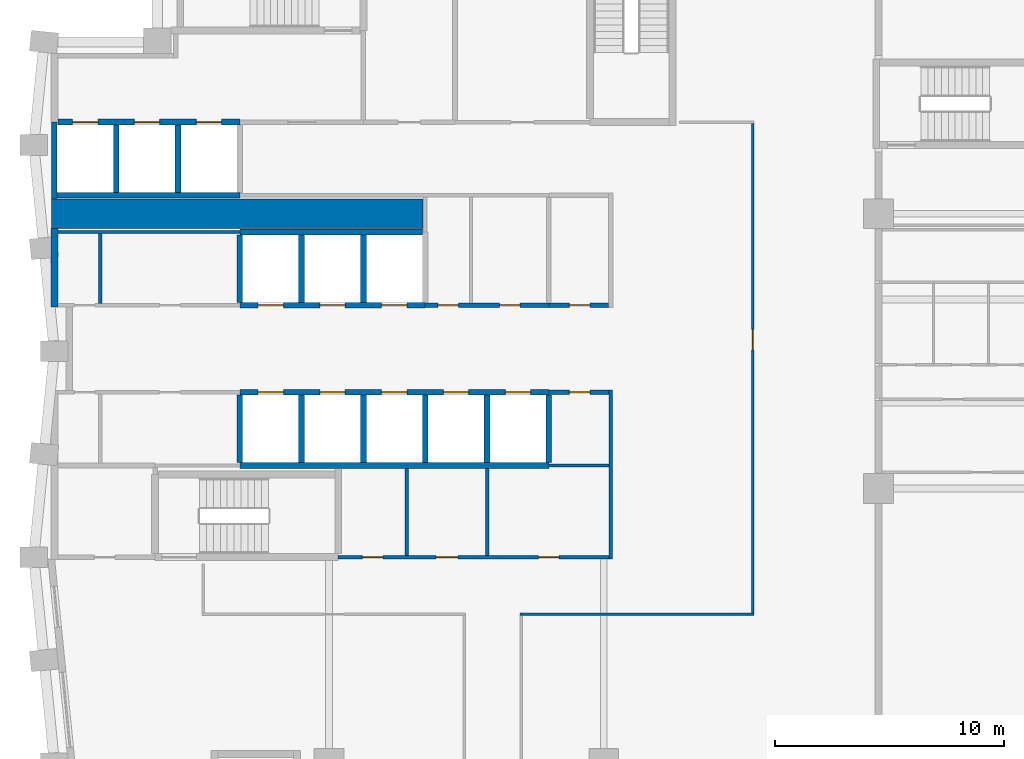
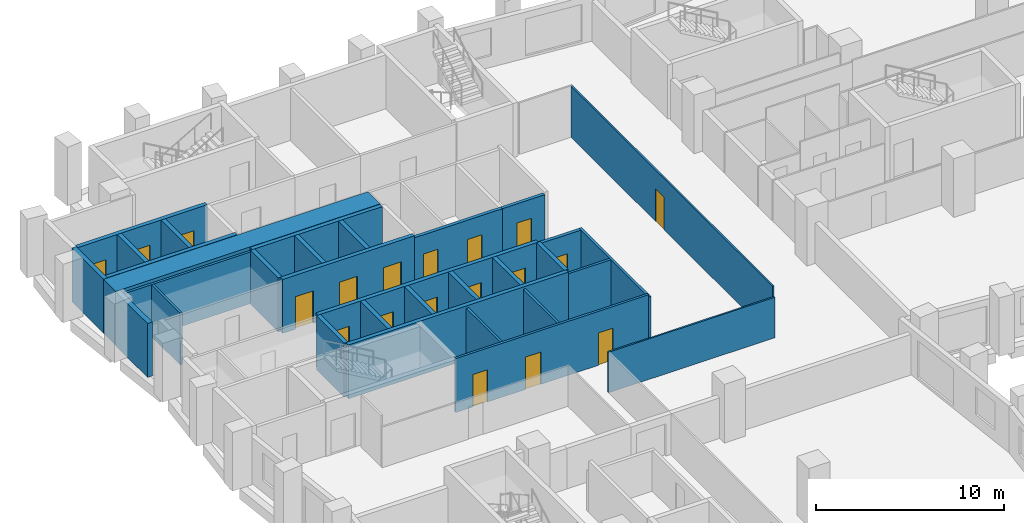
# One storey, part 5 of 11: 32 walls, 19 doors, 19 openings.
"""IFC4 building model written with IfcOpenShell, lengths in metres."""

from ifc_helpers import new_model, si_unit, direction, frame, frame_2d, origin, place, context, subcontext, project, spatial, rectangle, extrude, material, layer, layer_set, type_object, element, fill, save


model = new_model("IFC4")

# Units and contexts
model_context = context("Model", 3, precision=1e-05, world=origin(), true_north=direction((0.0, 1.0)))
body_context = subcontext(model_context, "Body", "Model", "MODEL_VIEW")
ifc_project = project(units=[si_unit("LENGTHUNIT", "METRE"), si_unit("AREAUNIT", "SQUARE_METRE"), si_unit("VOLUMEUNIT", "CUBIC_METRE"), si_unit("PLANEANGLEUNIT", "RADIAN"), si_unit("MASSUNIT", "GRAM", prefix="KILO")], contexts=[model_context])

# Site, building, storey
site_placement = place(None, origin())
site = spatial("IfcSite", under=ifc_project, at=site_placement, CompositionType="ELEMENT")
building_placement = place(site_placement, origin())
building = spatial("IfcBuilding", under=site, at=building_placement, Name="Brondeck Convention Tower", CompositionType="ELEMENT")
storey_placement = place(building_placement, frame((0.0, 0.0, 134.10009765625)))
storey = spatial("IfcBuildingStorey", under=building, at=storey_placement, Name="L32", CompositionType="ELEMENT", Elevation=134.10009765625)

# Wall, openings, doors
ifc_material_1 = material(Name="Concrete C70/85", Category="concrete")
ifc_layer_1 = layer(ifc_material_1, 0.14990234375)
ifc_layer_set_1 = layer_set([ifc_layer_1], Name="Core beam-seat wall 150 Concrete C70/85")
wall_type_1 = type_object("IfcWallType", Name="Core beam-seat wall 150 Concrete C70/85", PredefinedType="SHEAR", material=ifc_layer_set_1)
wall_1_placement = place(storey_placement, frame((12.39990234375, 36.0, 0.0), z_axis=(0.0, 0.0, 1.0), x_axis=(1.0, 0.0, 0.0)))
wall_1 = element("IfcWall", 1, at=wall_1_placement, inside=storey, type_object=wall_type_1, Name="L32 core wall", PredefinedType="SHEAR", context=body_context, shape_type="SweptSolid", body=[
    extrude(rectangle(XDim=11.8251953125, YDim=0.14990234375, at=frame_2d((5.91259765625, 0.0))), origin(), (0.0, 0.0, 1.0), 3.5),
])
opening_1_placement = place(wall_1_placement, frame((1.050048828125, 0.0, 0.0)))
opening_1 = element("IfcOpeningElement", 2, at=opening_1_placement, cuts=wall_1, Name="Opening C18-03", PredefinedType="OPENING", context=body_context, shape_type="SweptSolid", body=[
    extrude(rectangle(XDim=0.89990234375, YDim=2.10009765625, at=frame_2d((0.449951171875, 1.050048828125))), frame((0.0, 0.0849609375, 0.0), z_axis=(0.0, -1.0, 0.0), x_axis=(1.0, 0.0, 0.0)), (0.0, 0.0, 1.0), 0.169921875),
])
opening_2_placement = place(wall_1_placement, frame((4.27490234375, 0.0, 0.0)))
opening_2 = element("IfcOpeningElement", 3, at=opening_2_placement, cuts=wall_1, Name="Opening C18-04", PredefinedType="OPENING", context=body_context, shape_type="SweptSolid", body=[
    extrude(rectangle(XDim=0.949951171875, YDim=2.10009765625, at=frame_2d((0.47509765625, 1.050048828125))), frame((0.0, 0.0849609375, 0.0), z_axis=(0.0, -1.0, 0.0), x_axis=(1.0, 0.0, 0.0)), (0.0, 0.0, 1.0), 0.169921875),
])
opening_3_placement = place(wall_1_placement, frame((8.75, 0.0, 0.0)))
opening_3 = element("IfcOpeningElement", 4, at=opening_3_placement, cuts=wall_1, Name="Opening C18-05", PredefinedType="OPENING", context=body_context, shape_type="SweptSolid", body=[
    extrude(rectangle(XDim=0.89990234375, YDim=2.10009765625, at=frame_2d((0.449951171875, 1.050048828125))), frame((0.0, 0.0849609375, 0.0), z_axis=(0.0, -1.0, 0.0), x_axis=(1.0, 0.0, 0.0)), (0.0, 0.0, 1.0), 0.169921875),
])
ifc_material_2 = material(Name="Steel fire door", Category="steel")
door_type_1 = type_object("IfcDoorType", Name="Room door 900x2100 EI 60", OperationType="NOTDEFINED", PredefinedType="DOOR", material=ifc_material_2)
door_1_placement = place(opening_1_placement, origin())
door_1 = element("IfcDoor", 5, at=door_1_placement, inside=storey, type_object=door_type_1, Name="L32 Room door FR-1", OperationType="SINGLE_SWING_RIGHT", OverallHeight=2.10009765625, OverallWidth=0.89990234375, PredefinedType="DOOR", context=body_context, shape_type="SweptSolid", body=[
    extrude(rectangle(XDim=0.89990234375, YDim=2.10009765625, at=frame_2d((0.449951171875, 1.050048828125))), frame((0.0, 0.02490234375, 0.0), z_axis=(0.0, -1.0, 0.0), x_axis=(1.0, 0.0, 0.0)), (0.0, 0.0, 1.0), 0.050048828125),
])
fill(opening_1, door_1)
door_2_placement = place(opening_3_placement, origin())
door_2 = element("IfcDoor", 6, at=door_2_placement, inside=storey, type_object=door_type_1, Name="L32 Room door FR-3", OperationType="SINGLE_SWING_RIGHT", OverallHeight=2.10009765625, OverallWidth=0.89990234375, PredefinedType="DOOR", context=body_context, shape_type="SweptSolid", body=[
    extrude(rectangle(XDim=0.89990234375, YDim=2.10009765625, at=frame_2d((0.449951171875, 1.050048828125))), frame((0.0, 0.02490234375, 0.0), z_axis=(0.0, -1.0, 0.0), x_axis=(1.0, 0.0, 0.0)), (0.0, 0.0, 1.0), 0.050048828125),
])
fill(opening_3, door_2)
door_type_2 = type_object("IfcDoorType", Name="Room door 950x2100 EI 60", OperationType="NOTDEFINED", PredefinedType="DOOR", material=ifc_material_2)
door_3_placement = place(opening_2_placement, origin())
door_3 = element("IfcDoor", 7, at=door_3_placement, inside=storey, type_object=door_type_2, Name="L32 Room door FR-2", OperationType="SINGLE_SWING_LEFT", OverallHeight=2.10009765625, OverallWidth=0.949951171875, PredefinedType="DOOR", context=body_context, shape_type="SweptSolid", body=[
    extrude(rectangle(XDim=0.949951171875, YDim=2.10009765625, at=frame_2d((0.47509765625, 1.050048828125))), frame((0.0, 0.02490234375, 0.0), z_axis=(0.0, -1.0, 0.0), x_axis=(1.0, 0.0, 0.0)), (0.0, 0.0, 1.0), 0.050048828125),
])
fill(opening_2, door_3)

# Walls
ifc_layer_2 = layer(ifc_material_1, 0.300048828125)
ifc_layer_set_2 = layer_set([ifc_layer_2], Name="Core outer wall 300 Concrete C70/85")
wall_type_2 = type_object("IfcWallType", Name="Core outer wall 300 Concrete C70/85", PredefinedType="SHEAR", material=ifc_layer_set_2)
wall_2_placement = place(storey_placement, frame((0.0, 46.925048828125, 0.0), z_axis=(0.0, 0.0, 1.0), x_axis=(0.0, 1.0, 0.0)))
element("IfcWall", 8, at=wall_2_placement, inside=storey, type_object=wall_type_2, Name="L32 core wall", PredefinedType="SHEAR", context=body_context, shape_type="SweptSolid", body=[
    extrude(rectangle(XDim=3.425048828125, YDim=0.300048828125, at=frame_2d((1.71240234375, 0.0))), origin(), (0.0, 0.0, 1.0), 3.5),
])
ifc_material_3 = material(Name="Fire-rated gypsum board partition")
ifc_layer_3 = layer(ifc_material_3, 0.14990234375)
ifc_layer_set_3 = layer_set([ifc_layer_3], Name="Core partition 150 EI 60")
wall_type_3 = type_object("IfcWallType", Name="Core partition 150 EI 60", PredefinedType="PARTITIONING", material=ifc_layer_set_3)
wall_3_placement = place(storey_placement, frame((21.60009765625, 40.0, 0.0), z_axis=(0.0, 0.0, 1.0), x_axis=(1.0, 0.0, 0.0)))
element("IfcWall", 9, at=wall_3_placement, inside=storey, type_object=wall_type_3, Name="L32 core wall", PredefinedType="PARTITIONING", context=body_context, shape_type="SweptSolid", body=[
    extrude(rectangle(XDim=2.625, YDim=0.14990234375, at=frame_2d((1.3125, 0.0))), origin(), (0.0, 0.0, 1.0), 3.349853515625),
])
wall_4_placement = place(storey_placement, frame((0.14990234375, 50.199951171875, 0.0), z_axis=(0.0, 0.0, 1.0), x_axis=(1.0, 0.0, 0.0)))
element("IfcWall", 10, at=wall_4_placement, inside=storey, type_object=wall_type_3, Name="L32 core wall", PredefinedType="PARTITIONING", context=body_context, shape_type="SweptSolid", body=[
    extrude(rectangle(XDim=7.9501953125, YDim=0.14990234375, at=frame_2d((3.97509765625, 0.0))), origin(), (0.0, 0.0, 1.0), 3.349853515625),
])
wall_5_placement = place(storey_placement, frame((2.0, 47.074951171875, 0.0), z_axis=(0.0, 0.0, 1.0), x_axis=(0.0, 1.0, 0.0)))
element("IfcWall", 11, at=wall_5_placement, inside=storey, type_object=wall_type_3, Name="L32 core wall", PredefinedType="PARTITIONING", context=body_context, shape_type="SweptSolid", body=[
    extrude(rectangle(XDim=3.050048828125, YDim=0.14990234375, at=frame_2d((1.52490234375, 0.0))), origin(), (0.0, 0.0, 1.0), 3.349853515625),
])
for number, where, z_axis, x_axis, name in (
    (12, (15.39990234375, 36.074951171875, 0.0), (0.0, 0.0, 1.0), (0.0, 1.0, 0.0), "L32 core wall"),
    (13, (18.89990234375, 36.074951171875, 0.0), (0.0, 0.0, 1.0), (0.0, 1.0, 0.0), "L32 core wall"),
):
    element("IfcWall", number, at=place(storey_placement, frame(where, z_axis=z_axis, x_axis=x_axis)), inside=storey, type_object=wall_type_3, Name=name, PredefinedType="PARTITIONING", context=body_context, shape_type="SweptSolid", body=[
        extrude(rectangle(XDim=3.800048828125, YDim=0.14990234375, at=frame_2d((1.89990234375, 0.0))), origin(), (0.0, 0.0, 1.0), 3.349853515625),
    ])
wall_6_placement = place(storey_placement, frame((24.300048828125, 35.925048828125, 0.0), z_axis=(0.0, 0.0, 1.0), x_axis=(0.0, 1.0, 0.0)))
element("IfcWall", 14, at=wall_6_placement, inside=storey, type_object=wall_type_3, Name="L32 core wall", PredefinedType="PARTITIONING", context=body_context, shape_type="SweptSolid", body=[
    extrude(rectangle(XDim=7.375, YDim=0.14990234375, at=frame_2d((3.6875, 0.0))), origin(), (0.0, 0.0, 1.0), 3.349853515625),
])
ifc_layer_4 = layer(ifc_material_1, 1.300048828125)
ifc_layer_set_4 = layer_set([ifc_layer_4], Name="Core shear wall 1300 Concrete C70/85")
wall_type_4 = type_object("IfcWallType", Name="Core shear wall 1300 Concrete C70/85", PredefinedType="SHEAR", material=ifc_layer_set_4)
wall_7_placement = place(storey_placement, frame((-0.125, 51.0, 0.0), z_axis=(0.0, 0.0, 1.0), x_axis=(1.0, 0.0, 0.0)))
element("IfcWall", 15, at=wall_7_placement, inside=storey, type_object=wall_type_4, Name="L32 core wall", PredefinedType="SHEAR", context=body_context, shape_type="SweptSolid", body=[
    extrude(rectangle(XDim=16.22509765625, YDim=1.300048828125, at=frame_2d((8.112548828125, 0.0))), origin(), (0.0, 0.0, 1.0), 3.5),
])

# Wall, opening, door
ifc_layer_5 = layer(ifc_material_3, 0.199951171875)
ifc_layer_set_5 = layer_set([ifc_layer_5], Name="Lift lobby wall 200 EI 60")
wall_type_5 = type_object("IfcWallType", Name="Lift lobby wall 200 EI 60", PredefinedType="PARTITIONING", material=ifc_layer_set_5)
wall_8_placement = place(storey_placement, frame((21.60009765625, 43.199951171875, 0.0), z_axis=(0.0, 0.0, 1.0), x_axis=(1.0, 0.0, 0.0)))
wall_8 = element("IfcWall", 16, at=wall_8_placement, inside=storey, type_object=wall_type_5, Name="L32 core wall", PredefinedType="PARTITIONING", context=body_context, shape_type="SweptSolid", body=[
    extrude(rectangle(XDim=2.625, YDim=0.199951171875, at=frame_2d((1.3125, 0.0))), origin(), (0.0, 0.0, 1.0), 3.349853515625),
])
opening_4_placement = place(wall_8_placement, frame((0.89990234375, 0.0, 0.0)))
opening_4 = element("IfcOpeningElement", 17, at=opening_4_placement, cuts=wall_8, Name="Opening C18-13", PredefinedType="OPENING", context=body_context, shape_type="SweptSolid", body=[
    extrude(rectangle(XDim=0.89990234375, YDim=2.10009765625, at=frame_2d((0.449951171875, 1.050048828125))), frame((0.0, 0.10986328125, 0.0), z_axis=(0.0, -1.0, 0.0), x_axis=(1.0, 0.0, 0.0)), (0.0, 0.0, 1.0), 0.219970703125),
])
door_4_placement = place(opening_4_placement, origin())
door_4 = element("IfcDoor", 18, at=door_4_placement, inside=storey, type_object=door_type_1, Name="L32 Room door FZ-S-21.6-1", OperationType="SINGLE_SWING_RIGHT", OverallHeight=2.10009765625, OverallWidth=0.89990234375, PredefinedType="DOOR", context=body_context, shape_type="SweptSolid", body=[
    extrude(rectangle(XDim=0.89990234375, YDim=2.10009765625, at=frame_2d((0.449951171875, 1.050048828125))), frame((0.0, 0.02490234375, 0.0), z_axis=(0.0, -1.0, 0.0), x_axis=(1.0, 0.0, 0.0)), (0.0, 0.0, 1.0), 0.050048828125),
])
fill(opening_4, door_4)

# Wall, openings, doors
wall_9_placement = place(storey_placement, frame((16.199951171875, 47.0, 0.0), z_axis=(0.0, 0.0, 1.0), x_axis=(1.0, 0.0, 0.0)))
wall_9 = element("IfcWall", 19, at=wall_9_placement, inside=storey, type_object=wall_type_5, Name="L32 core wall", PredefinedType="PARTITIONING", context=body_context, shape_type="SweptSolid", body=[
    extrude(rectangle(XDim=5.400146484375, YDim=0.199951171875, at=frame_2d((2.7001953125, 0.0))), origin(), (0.0, 0.0, 1.0), 3.349853515625),
])
opening_5_placement = place(wall_9_placement, frame((0.550048828125, 0.0, 0.0)))
opening_5 = element("IfcOpeningElement", 20, at=opening_5_placement, cuts=wall_9, Name="Opening C18-09", PredefinedType="OPENING", context=body_context, shape_type="SweptSolid", body=[
    extrude(rectangle(XDim=0.89990234375, YDim=2.10009765625, at=frame_2d((0.449951171875, 1.050048828125))), frame((0.0, 0.10986328125, 0.0), z_axis=(0.0, -1.0, 0.0), x_axis=(1.0, 0.0, 0.0)), (0.0, 0.0, 1.0), 0.219970703125),
])
opening_6_placement = place(wall_9_placement, frame((3.25, 0.0, 0.0)))
opening_6 = element("IfcOpeningElement", 21, at=opening_6_placement, cuts=wall_9, Name="Opening C18-10", PredefinedType="OPENING", context=body_context, shape_type="SweptSolid", body=[
    extrude(rectangle(XDim=0.89990234375, YDim=2.10009765625, at=frame_2d((0.449951171875, 1.050048828125))), frame((0.0, 0.10986328125, 0.0), z_axis=(0.0, -1.0, 0.0), x_axis=(1.0, 0.0, 0.0)), (0.0, 0.0, 1.0), 0.219970703125),
])
door_5_placement = place(opening_5_placement, origin())
door_5 = element("IfcDoor", 22, at=door_5_placement, inside=storey, type_object=door_type_1, Name="L32 Room door FZ-N-16.2-1", OperationType="SINGLE_SWING_LEFT", OverallHeight=2.10009765625, OverallWidth=0.89990234375, PredefinedType="DOOR", context=body_context, shape_type="SweptSolid", body=[
    extrude(rectangle(XDim=0.89990234375, YDim=2.10009765625, at=frame_2d((0.449951171875, 1.050048828125))), frame((0.0, 0.02490234375, 0.0), z_axis=(0.0, -1.0, 0.0), x_axis=(1.0, 0.0, 0.0)), (0.0, 0.0, 1.0), 0.050048828125),
])
fill(opening_5, door_5)
door_6_placement = place(opening_6_placement, origin())
door_6 = element("IfcDoor", 23, at=door_6_placement, inside=storey, type_object=door_type_1, Name="L32 Room door FZ-N-16.2-2", OperationType="SINGLE_SWING_RIGHT", OverallHeight=2.10009765625, OverallWidth=0.89990234375, PredefinedType="DOOR", context=body_context, shape_type="SweptSolid", body=[
    extrude(rectangle(XDim=0.89990234375, YDim=2.10009765625, at=frame_2d((0.449951171875, 1.050048828125))), frame((0.0, 0.02490234375, 0.0), z_axis=(0.0, -1.0, 0.0), x_axis=(1.0, 0.0, 0.0)), (0.0, 0.0, 1.0), 0.050048828125),
])
fill(opening_6, door_6)

# Wall
ifc_layer_6 = layer(ifc_material_1, 0.25)
ifc_layer_set_6 = layer_set([ifc_layer_6], Name="Lift shaft wall 250 Concrete C70/85")
wall_type_6 = type_object("IfcWallType", Name="Lift shaft wall 250 Concrete C70/85", PredefinedType="SHEAR", material=ifc_layer_set_6)
wall_10_placement = place(storey_placement, frame((8.10009765625, 40.0, 0.0), z_axis=(0.0, 0.0, 1.0), x_axis=(1.0, 0.0, 0.0)))
element("IfcWall", 24, at=wall_10_placement, inside=storey, type_object=wall_type_6, Name="L32 core wall", PredefinedType="SHEAR", context=body_context, shape_type="SweptSolid", body=[
    extrude(rectangle(XDim=13.5, YDim=0.25, at=frame_2d((6.75, 0.0))), origin(), (0.0, 0.0, 1.0), 3.5),
])

# Wall, openings, doors
wall_11_placement = place(storey_placement, frame((8.10009765625, 43.199951171875, 0.0), z_axis=(0.0, 0.0, 1.0), x_axis=(1.0, 0.0, 0.0)))
wall_11 = element("IfcWall", 25, at=wall_11_placement, inside=storey, type_object=wall_type_6, Name="L32 core wall", PredefinedType="SHEAR", context=body_context, shape_type="SweptSolid", body=[
    extrude(rectangle(XDim=13.5, YDim=0.25, at=frame_2d((6.75, 0.0))), origin(), (0.0, 0.0, 1.0), 3.5),
])
opening_7_placement = place(wall_11_placement, frame((0.800048828125, 0.0, 0.0)))
opening_7 = element("IfcOpeningElement", 26, at=opening_7_placement, cuts=wall_11, Name="Opening C18-26", PredefinedType="OPENING", context=body_context, shape_type="SweptSolid", body=[
    extrude(rectangle(XDim=1.10009765625, YDim=2.10009765625, at=frame_2d((0.550048828125, 1.050048828125))), frame((0.0, 0.135009765625, 0.0), z_axis=(0.0, -1.0, 0.0), x_axis=(1.0, 0.0, 0.0)), (0.0, 0.0, 1.0), 0.27001953125),
])
opening_8_placement = place(wall_11_placement, frame((3.5, 0.0, 0.0)))
opening_8 = element("IfcOpeningElement", 27, at=opening_8_placement, cuts=wall_11, Name="Opening C18-27", PredefinedType="OPENING", context=body_context, shape_type="SweptSolid", body=[
    extrude(rectangle(XDim=1.10009765625, YDim=2.10009765625, at=frame_2d((0.550048828125, 1.050048828125))), frame((0.0, 0.135009765625, 0.0), z_axis=(0.0, -1.0, 0.0), x_axis=(1.0, 0.0, 0.0)), (0.0, 0.0, 1.0), 0.27001953125),
])
opening_9_placement = place(wall_11_placement, frame((6.199951171875, 0.0, 0.0)))
opening_9 = element("IfcOpeningElement", 28, at=opening_9_placement, cuts=wall_11, Name="Opening C18-28", PredefinedType="OPENING", context=body_context, shape_type="SweptSolid", body=[
    extrude(rectangle(XDim=1.10009765625, YDim=2.10009765625, at=frame_2d((0.550048828125, 1.050048828125))), frame((0.0, 0.135009765625, 0.0), z_axis=(0.0, -1.0, 0.0), x_axis=(1.0, 0.0, 0.0)), (0.0, 0.0, 1.0), 0.27001953125),
])
opening_10_placement = place(wall_11_placement, frame((8.89990234375, 0.0, 0.0)))
opening_10 = element("IfcOpeningElement", 29, at=opening_10_placement, cuts=wall_11, Name="Opening C18-32", PredefinedType="OPENING", context=body_context, shape_type="SweptSolid", body=[
    extrude(rectangle(XDim=1.10009765625, YDim=2.10009765625, at=frame_2d((0.550048828125, 1.050048828125))), frame((0.0, 0.135009765625, 0.0), z_axis=(0.0, -1.0, 0.0), x_axis=(1.0, 0.0, 0.0)), (0.0, 0.0, 1.0), 0.27001953125),
])
opening_11_placement = place(wall_11_placement, frame((11.60009765625, 0.0, 0.0)))
opening_11 = element("IfcOpeningElement", 30, at=opening_11_placement, cuts=wall_11, Name="Opening C18-33", PredefinedType="OPENING", context=body_context, shape_type="SweptSolid", body=[
    extrude(rectangle(XDim=1.10009765625, YDim=2.10009765625, at=frame_2d((0.550048828125, 1.050048828125))), frame((0.0, 0.135009765625, 0.0), z_axis=(0.0, -1.0, 0.0), x_axis=(1.0, 0.0, 0.0)), (0.0, 0.0, 1.0), 0.27001953125),
])
ifc_material_4 = material(Name="Stainless steel lift door", Category="steel")
door_type_3 = type_object("IfcDoorType", Name="Lift landing door 1100x2100 EI 180", OperationType="DOUBLE_DOOR_SLIDING", PredefinedType="DOOR", material=ifc_material_4)
door_7_placement = place(opening_7_placement, origin())
door_7 = element("IfcDoor", 31, at=door_7_placement, inside=storey, type_object=door_type_3, Name="L32 Lift landing door LR1", OperationType="DOUBLE_DOOR_SLIDING", OverallHeight=2.10009765625, OverallWidth=1.10009765625, PredefinedType="DOOR", context=body_context, shape_type="SweptSolid", body=[
    extrude(rectangle(XDim=1.10009765625, YDim=2.10009765625, at=frame_2d((0.550048828125, 1.050048828125))), frame((0.0, 0.02490234375, 0.0), z_axis=(0.0, -1.0, 0.0), x_axis=(1.0, 0.0, 0.0)), (0.0, 0.0, 1.0), 0.050048828125),
])
fill(opening_7, door_7)
door_8_placement = place(opening_8_placement, origin())
door_8 = element("IfcDoor", 32, at=door_8_placement, inside=storey, type_object=door_type_3, Name="L32 Lift landing door LR2", OperationType="DOUBLE_DOOR_SLIDING", OverallHeight=2.10009765625, OverallWidth=1.10009765625, PredefinedType="DOOR", context=body_context, shape_type="SweptSolid", body=[
    extrude(rectangle(XDim=1.10009765625, YDim=2.10009765625, at=frame_2d((0.550048828125, 1.050048828125))), frame((0.0, 0.02490234375, 0.0), z_axis=(0.0, -1.0, 0.0), x_axis=(1.0, 0.0, 0.0)), (0.0, 0.0, 1.0), 0.050048828125),
])
fill(opening_8, door_8)
door_9_placement = place(opening_9_placement, origin())
door_9 = element("IfcDoor", 33, at=door_9_placement, inside=storey, type_object=door_type_3, Name="L32 Lift landing door LR3", OperationType="DOUBLE_DOOR_SLIDING", OverallHeight=2.10009765625, OverallWidth=1.10009765625, PredefinedType="DOOR", context=body_context, shape_type="SweptSolid", body=[
    extrude(rectangle(XDim=1.10009765625, YDim=2.10009765625, at=frame_2d((0.550048828125, 1.050048828125))), frame((0.0, 0.02490234375, 0.0), z_axis=(0.0, -1.0, 0.0), x_axis=(1.0, 0.0, 0.0)), (0.0, 0.0, 1.0), 0.050048828125),
])
fill(opening_9, door_9)
door_10_placement = place(opening_10_placement, origin())
door_10 = element("IfcDoor", 34, at=door_10_placement, inside=storey, type_object=door_type_3, Name="L32 Lift landing door SH1", OperationType="DOUBLE_DOOR_SLIDING", OverallHeight=2.10009765625, OverallWidth=1.10009765625, PredefinedType="DOOR", context=body_context, shape_type="SweptSolid", body=[
    extrude(rectangle(XDim=1.10009765625, YDim=2.10009765625, at=frame_2d((0.550048828125, 1.050048828125))), frame((0.0, 0.02490234375, 0.0), z_axis=(0.0, -1.0, 0.0), x_axis=(1.0, 0.0, 0.0)), (0.0, 0.0, 1.0), 0.050048828125),
])
fill(opening_10, door_10)
door_11_placement = place(opening_11_placement, origin())
door_11 = element("IfcDoor", 35, at=door_11_placement, inside=storey, type_object=door_type_3, Name="L32 Lift landing door SH2", OperationType="DOUBLE_DOOR_SLIDING", OverallHeight=2.10009765625, OverallWidth=1.10009765625, PredefinedType="DOOR", context=body_context, shape_type="SweptSolid", body=[
    extrude(rectangle(XDim=1.10009765625, YDim=2.10009765625, at=frame_2d((0.550048828125, 1.050048828125))), frame((0.0, 0.02490234375, 0.0), z_axis=(0.0, -1.0, 0.0), x_axis=(1.0, 0.0, 0.0)), (0.0, 0.0, 1.0), 0.050048828125),
])
fill(opening_11, door_11)

wall_12_placement = place(storey_placement, frame((8.10009765625, 47.0, 0.0), z_axis=(0.0, 0.0, 1.0), x_axis=(1.0, 0.0, 0.0)))
wall_12 = element("IfcWall", 36, at=wall_12_placement, inside=storey, type_object=wall_type_6, Name="L32 core wall", PredefinedType="SHEAR", context=body_context, shape_type="SweptSolid", body=[
    extrude(rectangle(XDim=8.099853515625, YDim=0.25, at=frame_2d((4.0498046875, 0.0))), origin(), (0.0, 0.0, 1.0), 3.5),
])
opening_12_placement = place(wall_12_placement, frame((0.800048828125, 0.0, 0.0)))
opening_12 = element("IfcOpeningElement", 37, at=opening_12_placement, cuts=wall_12, Name="Opening C18-29", PredefinedType="OPENING", context=body_context, shape_type="SweptSolid", body=[
    extrude(rectangle(XDim=1.10009765625, YDim=2.10009765625, at=frame_2d((0.550048828125, 1.050048828125))), frame((0.0, 0.135009765625, 0.0), z_axis=(0.0, -1.0, 0.0), x_axis=(1.0, 0.0, 0.0)), (0.0, 0.0, 1.0), 0.27001953125),
])
opening_13_placement = place(wall_12_placement, frame((3.5, 0.0, 0.0)))
opening_13 = element("IfcOpeningElement", 38, at=opening_13_placement, cuts=wall_12, Name="Opening C18-30", PredefinedType="OPENING", context=body_context, shape_type="SweptSolid", body=[
    extrude(rectangle(XDim=1.10009765625, YDim=2.10009765625, at=frame_2d((0.550048828125, 1.050048828125))), frame((0.0, 0.135009765625, 0.0), z_axis=(0.0, -1.0, 0.0), x_axis=(1.0, 0.0, 0.0)), (0.0, 0.0, 1.0), 0.27001953125),
])
opening_14_placement = place(wall_12_placement, frame((6.199951171875, 0.0, 0.0)))
opening_14 = element("IfcOpeningElement", 39, at=opening_14_placement, cuts=wall_12, Name="Opening C18-31", PredefinedType="OPENING", context=body_context, shape_type="SweptSolid", body=[
    extrude(rectangle(XDim=1.10009765625, YDim=2.10009765625, at=frame_2d((0.550048828125, 1.050048828125))), frame((0.0, 0.135009765625, 0.0), z_axis=(0.0, -1.0, 0.0), x_axis=(1.0, 0.0, 0.0)), (0.0, 0.0, 1.0), 0.27001953125),
])
door_12_placement = place(opening_12_placement, origin())
door_12 = element("IfcDoor", 40, at=door_12_placement, inside=storey, type_object=door_type_3, Name="L32 Lift landing door LR4", OperationType="DOUBLE_DOOR_SLIDING", OverallHeight=2.10009765625, OverallWidth=1.10009765625, PredefinedType="DOOR", context=body_context, shape_type="SweptSolid", body=[
    extrude(rectangle(XDim=1.10009765625, YDim=2.10009765625, at=frame_2d((0.550048828125, 1.050048828125))), frame((0.0, 0.02490234375, 0.0), z_axis=(0.0, -1.0, 0.0), x_axis=(1.0, 0.0, 0.0)), (0.0, 0.0, 1.0), 0.050048828125),
])
fill(opening_12, door_12)
door_13_placement = place(opening_13_placement, origin())
door_13 = element("IfcDoor", 41, at=door_13_placement, inside=storey, type_object=door_type_3, Name="L32 Lift landing door LR5", OperationType="DOUBLE_DOOR_SLIDING", OverallHeight=2.10009765625, OverallWidth=1.10009765625, PredefinedType="DOOR", context=body_context, shape_type="SweptSolid", body=[
    extrude(rectangle(XDim=1.10009765625, YDim=2.10009765625, at=frame_2d((0.550048828125, 1.050048828125))), frame((0.0, 0.02490234375, 0.0), z_axis=(0.0, -1.0, 0.0), x_axis=(1.0, 0.0, 0.0)), (0.0, 0.0, 1.0), 0.050048828125),
])
fill(opening_13, door_13)
door_14_placement = place(opening_14_placement, origin())
door_14 = element("IfcDoor", 42, at=door_14_placement, inside=storey, type_object=door_type_3, Name="L32 Lift landing door LR6", OperationType="DOUBLE_DOOR_SLIDING", OverallHeight=2.10009765625, OverallWidth=1.10009765625, PredefinedType="DOOR", context=body_context, shape_type="SweptSolid", body=[
    extrude(rectangle(XDim=1.10009765625, YDim=2.10009765625, at=frame_2d((0.550048828125, 1.050048828125))), frame((0.0, 0.02490234375, 0.0), z_axis=(0.0, -1.0, 0.0), x_axis=(1.0, 0.0, 0.0)), (0.0, 0.0, 1.0), 0.050048828125),
])
fill(opening_14, door_14)

# Walls
wall_13_placement = place(storey_placement, frame((8.10009765625, 50.199951171875, 0.0), z_axis=(0.0, 0.0, 1.0), x_axis=(1.0, 0.0, 0.0)))
element("IfcWall", 43, at=wall_13_placement, inside=storey, type_object=wall_type_6, Name="L32 core wall", PredefinedType="SHEAR", context=body_context, shape_type="SweptSolid", body=[
    extrude(rectangle(XDim=7.974853515625, YDim=0.25, at=frame_2d((3.9873046875, 0.0))), origin(), (0.0, 0.0, 1.0), 3.5),
])
wall_14_placement = place(storey_placement, frame((0.125, 51.800048828125, 0.0), z_axis=(0.0, 0.0, 1.0), x_axis=(1.0, 0.0, 0.0)))
element("IfcWall", 44, at=wall_14_placement, inside=storey, type_object=wall_type_6, Name="L32 core wall", PredefinedType="SHEAR", context=body_context, shape_type="SweptSolid", body=[
    extrude(rectangle(XDim=7.97509765625, YDim=0.25, at=frame_2d((3.987548828125, 0.0))), origin(), (0.0, 0.0, 1.0), 3.5),
])

# Wall, openings, doors
wall_15_placement = place(storey_placement, frame((0.14990234375, 55.0, 0.0), z_axis=(0.0, 0.0, 1.0), x_axis=(1.0, 0.0, 0.0)))
wall_15 = element("IfcWall", 45, at=wall_15_placement, inside=storey, type_object=wall_type_6, Name="L32 core wall", PredefinedType="SHEAR", context=body_context, shape_type="SweptSolid", body=[
    extrude(rectangle(XDim=7.9501953125, YDim=0.25, at=frame_2d((3.97509765625, 0.0))), origin(), (0.0, 0.0, 1.0), 3.5),
])
opening_15_placement = place(wall_15_placement, frame((0.64990234375, 0.0, 0.0)))
opening_15 = element("IfcOpeningElement", 46, at=opening_15_placement, cuts=wall_15, Name="Opening C18-23", PredefinedType="OPENING", context=body_context, shape_type="SweptSolid", body=[
    extrude(rectangle(XDim=1.10009765625, YDim=2.10009765625, at=frame_2d((0.550048828125, 1.050048828125))), frame((0.0, 0.135009765625, 0.0), z_axis=(0.0, -1.0, 0.0), x_axis=(1.0, 0.0, 0.0)), (0.0, 0.0, 1.0), 0.27001953125),
])
opening_16_placement = place(wall_15_placement, frame((3.35009765625, 0.0, 0.0)))
opening_16 = element("IfcOpeningElement", 47, at=opening_16_placement, cuts=wall_15, Name="Opening C18-24", PredefinedType="OPENING", context=body_context, shape_type="SweptSolid", body=[
    extrude(rectangle(XDim=1.10009765625, YDim=2.10009765625, at=frame_2d((0.550048828125, 1.050048828125))), frame((0.0, 0.135009765625, 0.0), z_axis=(0.0, -1.0, 0.0), x_axis=(1.0, 0.0, 0.0)), (0.0, 0.0, 1.0), 0.27001953125),
])
opening_17_placement = place(wall_15_placement, frame((6.050048828125, 0.0, 0.0)))
opening_17 = element("IfcOpeningElement", 48, at=opening_17_placement, cuts=wall_15, Name="Opening C18-25", PredefinedType="OPENING", context=body_context, shape_type="SweptSolid", body=[
    extrude(rectangle(XDim=1.10009765625, YDim=2.10009765625, at=frame_2d((0.550048828125, 1.050048828125))), frame((0.0, 0.135009765625, 0.0), z_axis=(0.0, -1.0, 0.0), x_axis=(1.0, 0.0, 0.0)), (0.0, 0.0, 1.0), 0.27001953125),
])
door_15_placement = place(opening_15_placement, origin())
door_15 = element("IfcDoor", 49, at=door_15_placement, inside=storey, type_object=door_type_3, Name="L32 Lift landing door FF1", OperationType="DOUBLE_DOOR_SLIDING", OverallHeight=2.10009765625, OverallWidth=1.10009765625, PredefinedType="DOOR", context=body_context, shape_type="SweptSolid", body=[
    extrude(rectangle(XDim=1.10009765625, YDim=2.10009765625, at=frame_2d((0.550048828125, 1.050048828125))), frame((0.0, 0.02490234375, 0.0), z_axis=(0.0, -1.0, 0.0), x_axis=(1.0, 0.0, 0.0)), (0.0, 0.0, 1.0), 0.050048828125),
])
fill(opening_15, door_15)
door_16_placement = place(opening_16_placement, origin())
door_16 = element("IfcDoor", 50, at=door_16_placement, inside=storey, type_object=door_type_3, Name="L32 Lift landing door FF2", OperationType="DOUBLE_DOOR_SLIDING", OverallHeight=2.10009765625, OverallWidth=1.10009765625, PredefinedType="DOOR", context=body_context, shape_type="SweptSolid", body=[
    extrude(rectangle(XDim=1.10009765625, YDim=2.10009765625, at=frame_2d((0.550048828125, 1.050048828125))), frame((0.0, 0.02490234375, 0.0), z_axis=(0.0, -1.0, 0.0), x_axis=(1.0, 0.0, 0.0)), (0.0, 0.0, 1.0), 0.050048828125),
])
fill(opening_16, door_16)
door_17_placement = place(opening_17_placement, origin())
door_17 = element("IfcDoor", 51, at=door_17_placement, inside=storey, type_object=door_type_3, Name="L32 Lift landing door FF3", OperationType="DOUBLE_DOOR_SLIDING", OverallHeight=2.10009765625, OverallWidth=1.10009765625, PredefinedType="DOOR", context=body_context, shape_type="SweptSolid", body=[
    extrude(rectangle(XDim=1.10009765625, YDim=2.10009765625, at=frame_2d((0.550048828125, 1.050048828125))), frame((0.0, 0.02490234375, 0.0), z_axis=(0.0, -1.0, 0.0), x_axis=(1.0, 0.0, 0.0)), (0.0, 0.0, 1.0), 0.050048828125),
])
fill(opening_17, door_17)

# Walls
wall_16_placement = place(storey_placement, frame((0.0, 51.64990234375, 0.0), z_axis=(0.0, 0.0, 1.0), x_axis=(0.0, 1.0, 0.0)))
element("IfcWall", 52, at=wall_16_placement, inside=storey, type_object=wall_type_6, Name="L32 core wall", PredefinedType="SHEAR", context=body_context, shape_type="SweptSolid", body=[
    extrude(rectangle(XDim=3.35009765625, YDim=0.25, at=frame_2d((1.675048828125, 0.0))), origin(), (0.0, 0.0, 1.0), 3.5),
])
for number, where, z_axis, x_axis, name in (
    (53, (2.699951171875, 51.925048828125, 0.0), (0.0, 0.0, 1.0), (0.0, 1.0, 0.0), "L32 core wall"),
    (54, (5.39990234375, 51.925048828125, 0.0), (0.0, 0.0, 1.0), (0.0, 1.0, 0.0), "L32 core wall"),
    (55, (8.10009765625, 40.125, 0.0), (0.0, 0.0, 1.0), (0.0, 1.0, 0.0), "L32 core wall"),
    (56, (8.10009765625, 47.125, 0.0), (0.0, 0.0, 1.0), (0.0, 1.0, 0.0), "L32 core wall"),
    (57, (10.800048828125, 40.125, 0.0), (0.0, 0.0, 1.0), (0.0, 1.0, 0.0), "L32 core wall"),
    (58, (10.800048828125, 47.125, 0.0), (0.0, 0.0, 1.0), (0.0, 1.0, 0.0), "L32 core wall"),
    (59, (13.5, 40.125, 0.0), (0.0, 0.0, 1.0), (0.0, 1.0, 0.0), "L32 core wall"),
    (60, (13.5, 47.125, 0.0), (0.0, 0.0, 1.0), (0.0, 1.0, 0.0), "L32 core wall"),
    (61, (16.199951171875, 40.125, 0.0), (0.0, 0.0, 1.0), (0.0, 1.0, 0.0), "L32 core wall"),
    (62, (18.89990234375, 40.125, 0.0), (0.0, 0.0, 1.0), (0.0, 1.0, 0.0), "L32 core wall"),
    (63, (21.60009765625, 40.125, 0.0), (0.0, 0.0, 1.0), (0.0, 1.0, 0.0), "L32 core wall"),
):
    element("IfcWall", number, at=place(storey_placement, frame(where, z_axis=z_axis, x_axis=x_axis)), inside=storey, type_object=wall_type_6, Name=name, PredefinedType="SHEAR", context=body_context, shape_type="SweptSolid", body=[
        extrude(rectangle(XDim=2.949951171875, YDim=0.25, at=frame_2d((1.47509765625, 0.0))), origin(), (0.0, 0.0, 1.0), 3.5),
    ])

# Wall, opening, door
ifc_layer_7 = layer(ifc_material_3, 0.199951171875)
ifc_layer_set_7 = layer_set([ifc_layer_7], Name="Riser wall 200 EI 120")
wall_type_7 = type_object("IfcWallType", Name="Riser wall 200 EI 120", PredefinedType="PARTITIONING", material=ifc_layer_set_7)
wall_17_placement = place(storey_placement, frame((21.60009765625, 47.0, 0.0), z_axis=(0.0, 0.0, 1.0), x_axis=(1.0, 0.0, 0.0)))
wall_17 = element("IfcWall", 64, at=wall_17_placement, inside=storey, type_object=wall_type_7, Name="L32 core wall", PredefinedType="PARTITIONING", context=body_context, shape_type="SweptSolid", body=[
    extrude(rectangle(XDim=2.599853515625, YDim=0.199951171875, at=frame_2d((1.2998046875, 0.0))), origin(), (0.0, 0.0, 1.0), 3.349853515625),
])
opening_18_placement = place(wall_17_placement, frame((0.89990234375, 0.0, 0.0)))
opening_18 = element("IfcOpeningElement", 65, at=opening_18_placement, cuts=wall_17, Name="Opening C18-02", PredefinedType="OPENING", context=body_context, shape_type="SweptSolid", body=[
    extrude(rectangle(XDim=0.89990234375, YDim=2.10009765625, at=frame_2d((0.449951171875, 1.050048828125))), frame((0.0, 0.10986328125, 0.0), z_axis=(0.0, -1.0, 0.0), x_axis=(1.0, 0.0, 0.0)), (0.0, 0.0, 1.0), 0.219970703125),
])
door_type_4 = type_object("IfcDoorType", Name="Riser door 900x2100 EI 120", OperationType="NOTDEFINED", PredefinedType="DOOR", material=ifc_material_2)
door_18_placement = place(opening_18_placement, origin())
door_18 = element("IfcDoor", 66, at=door_18_placement, inside=storey, type_object=door_type_4, Name="L32 Riser door EN-1", OperationType="SINGLE_SWING_LEFT", OverallHeight=2.10009765625, OverallWidth=0.89990234375, PredefinedType="DOOR", context=body_context, shape_type="SweptSolid", body=[
    extrude(rectangle(XDim=0.89990234375, YDim=2.10009765625, at=frame_2d((0.449951171875, 1.050048828125))), frame((0.0, 0.02490234375, 0.0), z_axis=(0.0, -1.0, 0.0), x_axis=(1.0, 0.0, 0.0)), (0.0, 0.0, 1.0), 0.050048828125),
])
fill(opening_18, door_18)

# Wall
ifc_material_5 = material(Name="Gypsum board partition on steel studs", Category="steel")
ifc_layer_8 = layer(ifc_material_5, 0.10009765625)
ifc_layer_set_8 = layer_set([ifc_layer_8], Name="Room partition 100")
wall_type_8 = type_object("IfcWallType", Name="Room partition 100", PredefinedType="PARTITIONING", material=ifc_layer_set_8)
wall_18_placement = place(storey_placement, frame((30.550048828125, 33.5, 0.0), z_axis=(0.0, 0.0, 1.0), x_axis=(-1.0, 0.0, 0.0)))
element("IfcWall", 67, at=wall_18_placement, inside=storey, type_object=wall_type_8, Name="FLR-L32-W024", PredefinedType="PARTITIONING", context=body_context, shape_type="SweptSolid", body=[
    extrude(rectangle(XDim=10.199951171875, YDim=0.10009765625, at=frame_2d((5.10009765625, 0.0))), origin(), (0.0, 0.0, 1.0), 2.6298828125),
])

# Wall, opening, door
wall_19_placement = place(storey_placement, frame((30.5, 54.949951171875, 0.0), z_axis=(0.0, 0.0, 1.0), x_axis=(0.0, -1.0, 0.0)))
wall_19 = element("IfcWall", 68, at=wall_19_placement, inside=storey, type_object=wall_type_8, Name="FLR-L32-W058", PredefinedType="PARTITIONING", context=body_context, shape_type="SweptSolid", body=[
    extrude(rectangle(XDim=21.39990234375, YDim=0.10009765625, at=frame_2d((10.699951171875, 0.0))), origin(), (0.0, 0.0, 1.0), 3.329833984375),
])
opening_19_placement = place(wall_19_placement, frame((9.0, 0.0, 0.0)))
opening_19 = element("IfcOpeningElement", 69, at=opening_19_placement, cuts=wall_19, Name="Opening OF-E-017", PredefinedType="OPENING", context=body_context, shape_type="SweptSolid", body=[
    extrude(rectangle(XDim=0.89990234375, YDim=2.10009765625, at=frame_2d((0.449951171875, 1.050048828125))), frame((0.0, 0.06005859375, 0.0), z_axis=(0.0, -1.0, 0.0), x_axis=(1.0, 0.0, 0.0)), (0.0, 0.0, 1.0), 0.1201171875),
])
ifc_material_6 = material(Name="Solid timber door leaf", Category="wood")
door_type_5 = type_object("IfcDoorType", Name="Single door 900", OperationType="NOTDEFINED", PredefinedType="DOOR", material=ifc_material_6)
door_19_placement = place(opening_19_placement, origin())
door_19 = element("IfcDoor", 70, at=door_19_placement, inside=storey, type_object=door_type_5, Name="Door OF-E-017", OperationType="SINGLE_SWING_LEFT", OverallHeight=2.10009765625, OverallWidth=0.89990234375, PredefinedType="DOOR", context=body_context, shape_type="SweptSolid", body=[
    extrude(rectangle(XDim=0.89990234375, YDim=2.10009765625, at=frame_2d((0.449951171875, 1.050048828125))), frame((0.0, 0.02490234375, 0.0), z_axis=(0.0, -1.0, 0.0), x_axis=(1.0, 0.0, 0.0)), (0.0, 0.0, 1.0), 0.050048828125),
])
fill(opening_19, door_19)

save(model, "model.ifc")
